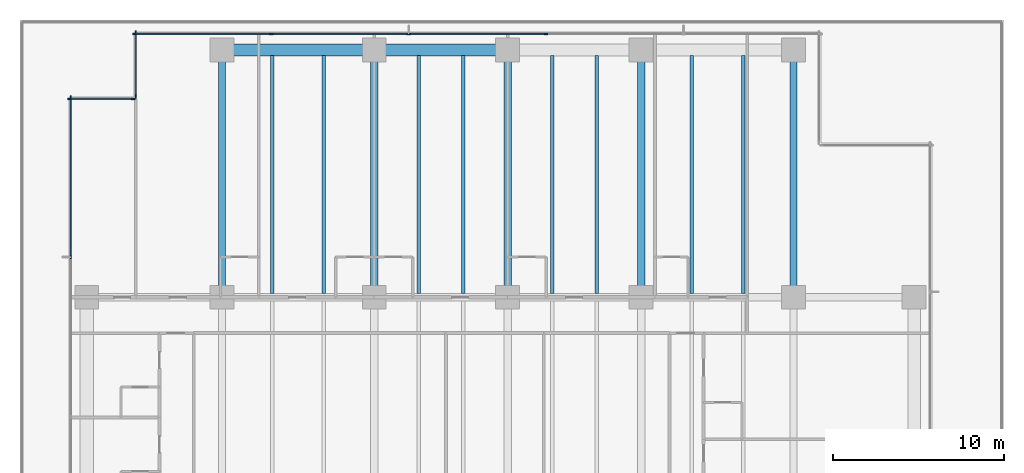
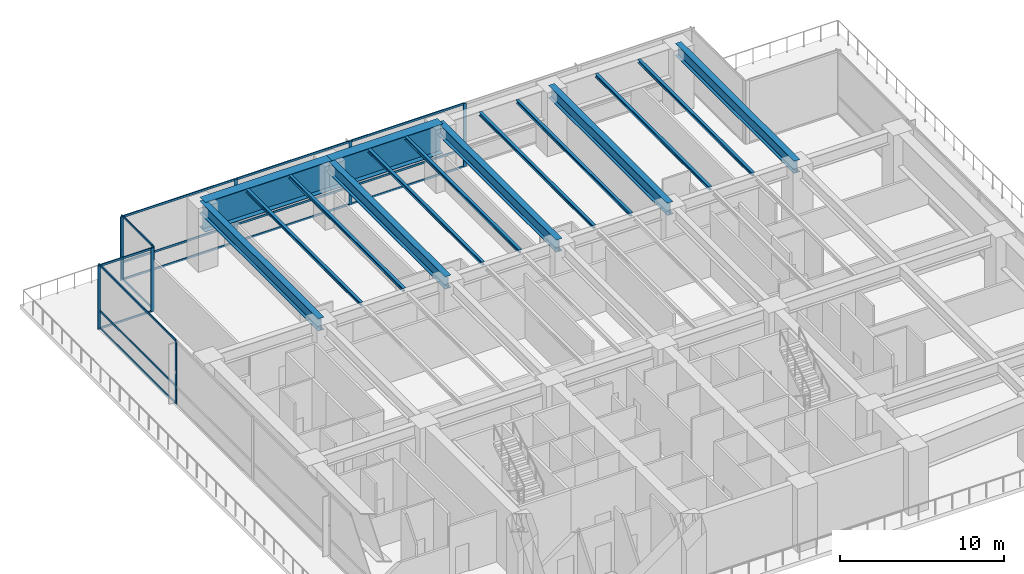
# One storey, part 4 of 19: 26 members, 15 beams, 4 elements without a shape of their own.
"""IFC4 building model written with IfcOpenShell, lengths in metres."""

import ifcopenshell
import ifcopenshell.guid

model = None  # the IFC model being written
_history = None  # IfcOwnerHistory: only IFC2X3 demands one
_inside = {}  # id of a spatial element -> (the spatial element, [elements in it])
_under = {}  # id of a project, library or spatial element -> (it, [spatial elements below it])
_declared = {}  # id of a project -> (the project, [libraries it declares])
_typed = {}  # id of a type object -> (the type object, [elements of that type])
_made_of = {}  # id of a material, layer set ... -> (it, [elements and type objects made of it])


def new_model(schema):
    """Start an empty IFC model of exactly this schema.

    Asked for "IFC4X3", IfcOpenShell would pick the latest addendum, in which some entities
    have other attributes; the version numbers below select the first issue.
    IFC2X3 requires an IfcOwnerHistory on every rooted entity: one is made here for all.
    """
    global model, _history
    if schema == "IFC4X3":
        model = ifcopenshell.file(schema_version=(4, 3, 0, 0))
    else:
        model = ifcopenshell.file(schema=schema)
    _inside.clear()
    _under.clear()
    _declared.clear()
    _typed.clear()
    _made_of.clear()
    _history = None
    if model.schema == "IFC2X3":
        org = make("IfcOrganization", Name="unknown")
        user = make(
            "IfcPersonAndOrganization",
            ThePerson=make("IfcPerson", FamilyName="unknown"),
            TheOrganization=org,
        )
        app = make(
            "IfcApplication",
            ApplicationDeveloper=org,
            Version="unknown",
            ApplicationFullName="unknown",
            ApplicationIdentifier="unknown",
        )
        _history = make(
            "IfcOwnerHistory",
            OwningUser=user,
            OwningApplication=app,
            ChangeAction="ADDED",
            CreationDate=0,
        )
    return model


def make(cls, **values):
    """One entity of the class cls with the attributes given. An attribute that is None is left unset."""
    return model.create_entity(
        cls, **{name: value for name, value in values.items() if value is not None}
    )


def rooted(cls, **values):
    """An entity with a GlobalId (a new one), such as an element, a storey or a relation."""
    return make(cls, GlobalId=ifcopenshell.guid.new(), OwnerHistory=_history, **values)


def si_unit(unit_type, name, prefix=None):
    """IfcSIUnit, for example si_unit("LENGTHUNIT", "METRE", prefix="MILLI")."""
    return make("IfcSIUnit", UnitType=unit_type, Prefix=prefix, Name=name)


def assignment(units):
    """IfcUnitAssignment: the units of a project."""
    return None if units is None else make("IfcUnitAssignment", Units=units)


def point(xyz):
    """IfcCartesianPoint."""
    return None if xyz is None else make("IfcCartesianPoint", Coordinates=xyz)


def direction(xyz):
    """IfcDirection."""
    return None if xyz is None else make("IfcDirection", DirectionRatios=xyz)


def frame(location, z_axis=None, x_axis=None):
    """IfcAxis2Placement3D, a coordinate frame: its origin and axes. An axis left out is left unset."""
    return make(
        "IfcAxis2Placement3D",
        Location=point(location),
        Axis=direction(z_axis),
        RefDirection=direction(x_axis),
    )


def frame_2d(location, x_axis=None):
    """IfcAxis2Placement2D, a coordinate frame in the plane: its origin and x axis."""
    return make(
        "IfcAxis2Placement2D", Location=point(location), RefDirection=direction(x_axis)
    )


def origin():
    """The frame at (0, 0, 0) with its axes left unset."""
    return frame((0.0, 0.0, 0.0))


def origin_2d():
    """The frame at (0, 0) in the plane with its x axis left unset."""
    return frame_2d((0.0, 0.0))


def place(relative_to, where):
    """IfcLocalPlacement: puts the frame where relative to a parent placement (None: the world)."""
    return make(
        "IfcLocalPlacement", PlacementRelTo=relative_to, RelativePlacement=where
    )


def context(
    kind, dimensions, precision=None, world=None, true_north=None, identifier=None
):
    """IfcGeometricRepresentationContext, for example the 3D "Model" context."""
    return make(
        "IfcGeometricRepresentationContext",
        ContextIdentifier=identifier,
        ContextType=kind,
        CoordinateSpaceDimension=dimensions,
        Precision=precision,
        WorldCoordinateSystem=world,
        TrueNorth=true_north,
    )


def subcontext(parent, identifier, kind, view, scale=None):
    """IfcGeometricRepresentationSubContext, for example "Body" below "Model"."""
    return make(
        "IfcGeometricRepresentationSubContext",
        ContextIdentifier=identifier,
        ContextType=kind,
        ParentContext=parent,
        TargetScale=scale,
        TargetView=view,
    )


def project(units=None, contexts=None):
    """IfcProject with its units and contexts."""
    return rooted(
        "IfcProject",
        Name="project",
        RepresentationContexts=contexts,
        UnitsInContext=assignment(units),
    )


def spatial(cls, under=None, at=None, **own):
    """A site, building, storey or space (cls), placed at a placement, below another one or the project."""
    s = rooted(cls, ObjectPlacement=at, **own)
    if under is not None:
        _under.setdefault(under.id(), (under, []))[1].append(s)
    return s


def profile(cls, at=None, kind="AREA", **sizes):
    """A parametric profile (cls). Its sizes go by their IFC names, for example OverallWidth=200.0."""
    return make(cls, ProfileType=kind, Position=at, **sizes)


def rectangle(**sizes):
    """IfcRectangleProfileDef."""
    return profile("IfcRectangleProfileDef", **sizes)


def i_section(**sizes):
    """IfcIShapeProfileDef."""
    return profile("IfcIShapeProfileDef", **sizes)


def extrude(swept, where, along, depth):
    """IfcExtrudedAreaSolid: the profile swept, set in the frame where, extruded along a direction by depth."""
    return make(
        "IfcExtrudedAreaSolid",
        SweptArea=swept,
        Position=where,
        ExtrudedDirection=direction(along),
        Depth=depth,
    )


def shape(context_of_items, identifier, shape_type, items):
    """IfcShapeRepresentation: the items that make up one representation, for example the "Body"."""
    return make(
        "IfcShapeRepresentation",
        ContextOfItems=context_of_items,
        RepresentationIdentifier=identifier,
        RepresentationType=shape_type,
        Items=items,
    )


def material(Name=None, Category=None):
    """IfcMaterial."""
    return make("IfcMaterial", Name=Name, Category=Category)


def layer(
    of_material, thickness, ventilated=None, Name=None, Category=None, Priority=None
):
    """IfcMaterialLayer: one layer of a wall or slab, of a material (None: an air gap)."""
    return make(
        "IfcMaterialLayer",
        Material=of_material,
        LayerThickness=thickness,
        IsVentilated=ventilated,
        Name=Name,
        Category=Category,
        Priority=Priority,
    )


def layer_set(layers, Name=None):
    """IfcMaterialLayerSet."""
    return make("IfcMaterialLayerSet", MaterialLayers=layers, LayerSetName=Name)


def material_profile(
    of_material, cross_section, Name=None, Category=None, Priority=None
):
    """IfcMaterialProfile: a cross section and its material."""
    return make(
        "IfcMaterialProfile",
        Name=Name,
        Material=of_material,
        Profile=cross_section,
        Priority=Priority,
        Category=Category,
    )


def profile_set(profiles, Name=None, composite=None):
    """IfcMaterialProfileSet."""
    return make(
        "IfcMaterialProfileSet",
        Name=Name,
        MaterialProfiles=profiles,
        CompositeProfile=composite,
    )


def made_of(thing, what):
    """Note that an element or type object is made of a material, layer set ...; save() writes the relation."""
    if what is not None:
        _made_of.setdefault(what.id(), (what, []))[1].append(thing)
    return thing


def type_object(cls, material=None, **own):
    """A type object (cls), such as IfcWallType, which elements share."""
    return made_of(rooted(cls, **own), material)


def element(
    cls,
    number,
    at=None,
    inside=None,
    cuts=None,
    type_object=None,
    material=None,
    context=None,
    identifier="Body",
    shape_type=None,
    held_by="IfcProductDefinitionShape",
    body=None,
    shapes=None,
    **own,
):
    """One element of the class cls, such as IfcWall. Its Tag is "e" and its number.

    at: its placement. inside: the storey or other place that contains it. cuts: it is an
    opening in that element (IfcRelVoidsElement). A single representation is given by context,
    identifier, shape_type and body (its items); several are given by shapes. held_by: the class
    of the entity that holds the representations. save() writes the other relations.
    """
    e = rooted(cls, Tag="e%d" % number, ObjectPlacement=at, **own)
    if body is not None:
        shapes = [shape(context, identifier, shape_type, body)]
    if shapes is not None:
        e.Representation = make(held_by, Representations=shapes)
    if inside is not None:
        _inside.setdefault(inside.id(), (inside, []))[1].append(e)
    if cuts is not None:
        rooted(
            "IfcRelVoidsElement", RelatingBuildingElement=cuts, RelatedOpeningElement=e
        )
    if type_object is not None:
        _typed.setdefault(type_object.id(), (type_object, []))[1].append(e)
    return made_of(e, material)


def aggregate(whole, parts):
    """IfcRelAggregates: a whole, such as a stair, and the parts it consists of."""
    return rooted("IfcRelAggregates", RelatingObject=whole, RelatedObjects=parts)


def save(model, path):
    """Write the relations noted so far, then the file.

    IfcRelAggregates (storeys below a building ...), IfcRelContainedInSpatialStructure (elements
    in a storey), IfcRelDefinesByType, IfcRelAssociatesMaterial and IfcRelDeclares: one each for
    every whole, place, type object, material and project.
    """
    for whole, parts in _under.values():
        aggregate(whole, parts)
    for where, things in _inside.values():
        rooted(
            "IfcRelContainedInSpatialStructure",
            RelatedElements=things,
            RelatingStructure=where,
        )
    for kind, things in _typed.values():
        rooted("IfcRelDefinesByType", RelatedObjects=things, RelatingType=kind)
    for what, things in _made_of.values():
        rooted("IfcRelAssociatesMaterial", RelatedObjects=things, RelatingMaterial=what)
    for by, libraries in _declared.values():
        rooted("IfcRelDeclares", RelatingContext=by, RelatedDefinitions=libraries)
    model.write(path)


model = new_model("IFC4")

# Units and contexts
model_context = context("Model", 3, precision=1e-05, world=origin(), true_north=direction((0.0, 1.0)))
body_context = subcontext(model_context, "Body", "Model", "MODEL_VIEW")
ifc_project = project(units=[si_unit("LENGTHUNIT", "METRE"), si_unit("AREAUNIT", "SQUARE_METRE"), si_unit("VOLUMEUNIT", "CUBIC_METRE"), si_unit("PLANEANGLEUNIT", "RADIAN"), si_unit("MASSUNIT", "GRAM", prefix="KILO")], contexts=[model_context])

# Site, building, storey
site_placement = place(None, origin())
site = spatial("IfcSite", under=ifc_project, at=site_placement, CompositionType="ELEMENT")
building_placement = place(site_placement, origin())
building = spatial("IfcBuilding", under=site, at=building_placement, Name="Qalmaran Belvedere Hotel", CompositionType="ELEMENT")
storey_placement = place(building_placement, frame((0.0, 0.0, 28.39990234375)))
storey = spatial("IfcBuildingStorey", under=building, at=storey_placement, Name="L06", CompositionType="ELEMENT", Elevation=28.39990234375)

# Beams
ifc_material_1 = material(Name="Steel S355JR", Category="steel")
ifc_material_profile_1 = material_profile(ifc_material_1, i_section(OverallWidth=0.201904296875, OverallDepth=0.2470703125, WebThickness=0.00732421875, FlangeThickness=0.010986328125, FilletRadius=0.011962890625, at=origin_2d()), Name="W250X49")
ifc_profile_set_1 = profile_set([ifc_material_profile_1], Name="Steel S355JR")
beam_type_1 = type_object("IfcBeamType", Name="BM-JST-W250X49", PredefinedType="JOIST", material=ifc_profile_set_1)
for number, where, z_axis, x_axis, name in (
    (1, (23.25, 33.2080078125, 4.5966796875), (0.0, 1.0, 0.0), (-1.0, 0.0, 0.0), "L06 Deck Joist B01"),
    (2, (26.25, 33.2080078125, 4.5966796875), (0.0, 1.0, 0.0), (-1.0, 0.0, 0.0), "L06 Deck Joist B02"),
    (3, (31.800048828125, 33.2080078125, 4.5966796875), (0.0, 1.0, 0.0), (-1.0, 0.0, 0.0), "L06 Deck Joist B03"),
    (4, (34.39990234375, 33.2080078125, 4.5966796875), (0.0, 1.0, 0.0), (-1.0, 0.0, 0.0), "L06 Deck Joist B04"),
    (5, (39.60009765625, 33.2080078125, 4.5966796875), (0.0, 1.0, 0.0), (-1.0, 0.0, 0.0), "L06 Deck Joist B05"),
    (6, (42.199951171875, 33.2080078125, 4.5966796875), (0.0, 1.0, 0.0), (-1.0, 0.0, 0.0), "L06 Deck Joist B06"),
    (7, (47.75, 33.2080078125, 4.5966796875), (0.0, 1.0, 0.0), (-1.0, 0.0, 0.0), "L06 Deck Joist B07"),
    (8, (50.75, 33.2080078125, 4.5966796875), (0.0, 1.0, 0.0), (-1.0, 0.0, 0.0), "L06 Deck Joist B08"),
):
    element("IfcBeam", number, at=place(storey_placement, frame(where, z_axis=z_axis, x_axis=x_axis)), inside=storey, type_object=beam_type_1, Name=name, PredefinedType="JOIST", context=body_context, shape_type="SweptSolid", body=[
        extrude(i_section(OverallWidth=0.201904296875, OverallDepth=0.2470703125, WebThickness=0.00732421875, FlangeThickness=0.010986328125, FilletRadius=0.011962890625, at=origin_2d()), origin(), (0.0, 0.0, 1.0), 13.904052734375),
    ])
ifc_material_profile_2 = material_profile(ifc_material_1, i_section(OverallWidth=0.419921875, OverallDepth=0.9208984375, WebThickness=0.021240234375, FlangeThickness=0.03662109375, FilletRadius=0.02392578125, at=origin_2d()), Name="W920X387")
ifc_profile_set_2 = profile_set([ifc_material_profile_2], Name="Steel S355JR")
beam_type_2 = type_object("IfcBeamType", Name="BM-PG1-W920X387", PredefinedType="USERDEFINED", material=ifc_profile_set_2)
for number, where, z_axis, x_axis, name in (
    (9, (20.300048828125, 33.0, 4.259521484375), (0.0, 1.0, 0.0), (-1.0, 0.0, 0.0), "L06 Primary Tie Girder G11"),
    (10, (29.199951171875, 33.0, 4.259521484375), (0.0, 1.0, 0.0), (-1.0, 0.0, 0.0), "L06 Primary Tie Girder G11B"),
    (11, (37.0, 33.0, 4.259521484375), (0.0, 1.0, 0.0), (-1.0, 0.0, 0.0), "L06 Primary Tie Girder G12"),
    (12, (44.800048828125, 33.0, 4.259521484375), (0.0, 1.0, 0.0), (-1.0, 0.0, 0.0), "L06 Primary Tie Girder G12B"),
    (13, (53.699951171875, 33.0, 4.259521484375), (0.0, 1.0, 0.0), (-1.0, 0.0, 0.0), "L06 Primary Tie Girder G13"),
):
    element("IfcBeam", number, at=place(storey_placement, frame(where, z_axis=z_axis, x_axis=x_axis)), inside=storey, type_object=beam_type_2, Name=name, ObjectType="GIRDER", PredefinedType="USERDEFINED", context=body_context, shape_type="SweptSolid", body=[
        extrude(i_section(OverallWidth=0.419921875, OverallDepth=0.9208984375, WebThickness=0.021240234375, FlangeThickness=0.03662109375, FilletRadius=0.02392578125, at=origin_2d()), origin(), (0.0, 0.0, 1.0), 14.449951171875),
    ])
ifc_material_profile_3 = material_profile(ifc_material_1, i_section(OverallWidth=0.679931640625, OverallDepth=2.199951171875, WebThickness=0.028076171875, FlangeThickness=0.035888671875, at=origin_2d()), Name="PG2200X680X36")
ifc_profile_set_3 = profile_set([ifc_material_profile_3], Name="Steel S355JR")
beam_type_3 = type_object("IfcBeamType", Name="BM-TG3-PG2200X680", PredefinedType="USERDEFINED", material=ifc_profile_set_3)
beam_1_placement = place(storey_placement, frame((20.300048828125, 47.449951171875, 3.6201171875), z_axis=(1.0, 0.0, 0.0), x_axis=(0.0, 1.0, 0.0)))
element("IfcBeam", 14, at=beam_1_placement, inside=storey, type_object=beam_type_3, Name="L06 North Transfer Girder TG-3A", ObjectType="GIRDER", PredefinedType="USERDEFINED", context=body_context, shape_type="SweptSolid", body=[
    extrude(i_section(OverallWidth=0.679931640625, OverallDepth=2.199951171875, WebThickness=0.028076171875, FlangeThickness=0.035888671875, at=origin_2d()), origin(), (0.0, 0.0, 1.0), 8.89990234375),
])
beam_2_placement = place(storey_placement, frame((29.199951171875, 47.449951171875, 3.6201171875), z_axis=(1.0, 0.0, 0.0), x_axis=(0.0, 1.0, 0.0)))
element("IfcBeam", 15, at=beam_2_placement, inside=storey, type_object=beam_type_3, Name="L06 North Transfer Girder TG-3B", ObjectType="GIRDER", PredefinedType="USERDEFINED", context=body_context, shape_type="SweptSolid", body=[
    extrude(i_section(OverallWidth=0.679931640625, OverallDepth=2.199951171875, WebThickness=0.028076171875, FlangeThickness=0.035888671875, at=origin_2d()), origin(), (0.0, 0.0, 1.0), 7.800048828125),
])

# Curtain wall, members
ifc_material_2 = material(Name="Anodised Bronze Aluminium", Category="aluminium")
ifc_layer = layer(ifc_material_2, 0.2099609375, Name="Anodised Bronze Aluminium")
ifc_layer_set = layer_set([ifc_layer], Name="Anodised Bronze Aluminium")
curtain_wall_type = type_object("IfcCurtainWallType", Name="CW2-TOWER-LOWER", PredefinedType="NOTDEFINED", material=ifc_layer_set)
curtain_wall_1_placement = place(storey_placement, origin())
curtain_wall_1 = element("IfcCurtainWall", 16, at=curtain_wall_1_placement, inside=storey, type_object=curtain_wall_type, Name="L06 Curtain Wall CW2", PredefinedType="NOTDEFINED")
ifc_material_profile_4 = material_profile(ifc_material_2, rectangle(XDim=0.074951171875, YDim=0.219970703125, at=origin_2d()), Name="CWM75X220")
ifc_profile_set_4 = profile_set([ifc_material_profile_4], Name="Anodised Bronze Aluminium")
member_type_1 = type_object("IfcMemberType", Name="CWM-75X220", PredefinedType="MULLION", material=ifc_profile_set_4)
member_1_placement = place(storey_placement, frame((39.239990234375, 48.3798828125, 0.0), z_axis=(0.0, 0.0, 1.0), x_axis=(0.0, -1.0, 0.0)))
member_1 = element("IfcMember", 17, at=member_1_placement, type_object=member_type_1, Name="CW2 mullion 3", PredefinedType="MULLION", context=body_context, shape_type="SweptSolid", body=[
    extrude(rectangle(XDim=0.074951171875, YDim=0.219970703125, at=origin_2d()), origin(), (0.0, 0.0, 1.0), 4.72021484375),
])
member_2_placement = place(storey_placement, frame((31.2099609375, 48.3798828125, 0.0), z_axis=(0.0, 0.0, 1.0), x_axis=(0.0, -1.0, 0.0)))
member_2 = element("IfcMember", 18, at=member_2_placement, type_object=member_type_1, Name="CW2 mullion 4", PredefinedType="MULLION", context=body_context, shape_type="SweptSolid", body=[
    extrude(rectangle(XDim=0.074951171875, YDim=0.219970703125, at=origin_2d()), origin(), (0.0, 0.0, 1.0), 4.72021484375),
])
member_3_placement = place(storey_placement, frame((23.179931640625, 48.3798828125, 0.0), z_axis=(0.0, 0.0, 1.0), x_axis=(0.0, -1.0, 0.0)))
member_3 = element("IfcMember", 19, at=member_3_placement, type_object=member_type_1, Name="CW2 mullion 5", PredefinedType="MULLION", context=body_context, shape_type="SweptSolid", body=[
    extrude(rectangle(XDim=0.074951171875, YDim=0.219970703125, at=origin_2d()), origin(), (0.0, 0.0, 1.0), 4.72021484375),
])
member_4_placement = place(storey_placement, frame((15.1875, 48.3798828125, 0.0), z_axis=(0.0, 0.0, 1.0), x_axis=(0.0, -1.0, 0.0)))
member_4 = element("IfcMember", 20, at=member_4_placement, type_object=member_type_1, Name="CW2 mullion 6", PredefinedType="MULLION", context=body_context, shape_type="SweptSolid", body=[
    extrude(rectangle(XDim=0.074951171875, YDim=0.219970703125, at=origin_2d()), origin(), (0.0, 0.0, 1.0), 4.72021484375),
])

curtain_wall_2_placement = place(storey_placement, origin())
curtain_wall_2 = element("IfcCurtainWall", 21, at=curtain_wall_2_placement, inside=storey, type_object=curtain_wall_type, Name="L06 Curtain Wall CW2", PredefinedType="NOTDEFINED")
member_5_placement = place(storey_placement, frame((15.27001953125, 48.46240234375, 0.0), z_axis=(0.0, 0.0, 1.0), x_axis=(1.0, 0.0, 0.0)))
member_5 = element("IfcMember", 22, at=member_5_placement, type_object=member_type_1, Name="CW2 mullion 1", PredefinedType="MULLION", context=body_context, shape_type="SweptSolid", body=[
    extrude(rectangle(XDim=0.074951171875, YDim=0.219970703125, at=origin_2d()), origin(), (0.0, 0.0, 1.0), 4.72021484375),
])
member_6_placement = place(storey_placement, frame((15.27001953125, 44.737548828125, 0.0), z_axis=(0.0, 0.0, 1.0), x_axis=(1.0, 0.0, 0.0)))
member_6 = element("IfcMember", 23, at=member_6_placement, type_object=member_type_1, Name="CW2 mullion 2", PredefinedType="MULLION", context=body_context, shape_type="SweptSolid", body=[
    extrude(rectangle(XDim=0.074951171875, YDim=0.219970703125, at=origin_2d()), origin(), (0.0, 0.0, 1.0), 4.72021484375),
])

curtain_wall_3_placement = place(storey_placement, origin())
curtain_wall_3 = element("IfcCurtainWall", 24, at=curtain_wall_3_placement, inside=storey, type_object=curtain_wall_type, Name="L06 Curtain Wall CW2", PredefinedType="NOTDEFINED")
member_7_placement = place(storey_placement, frame((15.112548828125, 44.580078125, 0.0), z_axis=(0.0, 0.0, 1.0), x_axis=(0.0, -1.0, 0.0)))
member_7 = element("IfcMember", 25, at=member_7_placement, type_object=member_type_1, Name="CW2 mullion 1", PredefinedType="MULLION", context=body_context, shape_type="SweptSolid", body=[
    extrude(rectangle(XDim=0.074951171875, YDim=0.219970703125, at=origin_2d()), origin(), (0.0, 0.0, 1.0), 4.72021484375),
])
member_8_placement = place(storey_placement, frame((11.387451171875, 44.580078125, 0.0), z_axis=(0.0, 0.0, 1.0), x_axis=(0.0, -1.0, 0.0)))
member_8 = element("IfcMember", 26, at=member_8_placement, type_object=member_type_1, Name="CW2 mullion 2", PredefinedType="MULLION", context=body_context, shape_type="SweptSolid", body=[
    extrude(rectangle(XDim=0.074951171875, YDim=0.219970703125, at=origin_2d()), origin(), (0.0, 0.0, 1.0), 4.72021484375),
])

curtain_wall_4_placement = place(storey_placement, origin())
curtain_wall_4 = element("IfcCurtainWall", 27, at=curtain_wall_4_placement, inside=storey, type_object=curtain_wall_type, Name="L06 Curtain Wall CW2", PredefinedType="NOTDEFINED")
member_9_placement = place(storey_placement, frame((11.469970703125, 44.66259765625, 0.0), z_axis=(0.0, 0.0, 1.0), x_axis=(1.0, 0.0, 0.0)))
member_9 = element("IfcMember", 28, at=member_9_placement, type_object=member_type_1, Name="CW2 mullion 1", PredefinedType="MULLION", context=body_context, shape_type="SweptSolid", body=[
    extrude(rectangle(XDim=0.074951171875, YDim=0.219970703125, at=origin_2d()), origin(), (0.0, 0.0, 1.0), 4.72021484375),
])
member_10_placement = place(storey_placement, frame((11.469970703125, 35.35009765625, 0.0), z_axis=(0.0, 0.0, 1.0), x_axis=(1.0, 0.0, 0.0)))
member_10 = element("IfcMember", 29, at=member_10_placement, type_object=member_type_1, Name="CW2 mullion 2", PredefinedType="MULLION", context=body_context, shape_type="SweptSolid", body=[
    extrude(rectangle(XDim=0.074951171875, YDim=0.219970703125, at=origin_2d()), origin(), (0.0, 0.0, 1.0), 4.72021484375),
])

# Member
ifc_material_profile_5 = material_profile(ifc_material_2, rectangle(XDim=0.070068359375, YDim=0.14990234375, at=origin_2d()), Name="CWT70X150")
ifc_profile_set_5 = profile_set([ifc_material_profile_5], Name="Anodised Bronze Aluminium")
member_type_2 = type_object("IfcMemberType", Name="CWT-70X150", PredefinedType="USERDEFINED", material=ifc_profile_set_5)
member_11_placement = place(storey_placement, frame((39.202392578125, 48.3798828125, 0.03515625), z_axis=(-1.0, 0.0, 0.0), x_axis=(0.0, -1.0, 0.0)))
member_11 = element("IfcMember", 30, at=member_11_placement, type_object=member_type_2, Name="CW2 transom 3.1", ObjectType="TRANSOM", PredefinedType="USERDEFINED", context=body_context, shape_type="SweptSolid", body=[
    extrude(rectangle(XDim=0.070068359375, YDim=0.14990234375, at=origin_2d()), origin(), (0.0, 0.0, 1.0), 7.954833984375),
])

member_12_placement = place(storey_placement, frame((39.202392578125, 48.3798828125, 1.32177734375), z_axis=(-1.0, 0.0, 0.0), x_axis=(0.0, -1.0, 0.0)))
member_12 = element("IfcMember", 31, at=member_12_placement, type_object=member_type_2, Name="CW2 transom 3.2", ObjectType="TRANSOM", PredefinedType="USERDEFINED", context=body_context, shape_type="SweptSolid", body=[
    extrude(rectangle(XDim=0.070068359375, YDim=0.14990234375, at=origin_2d()), origin(), (0.0, 0.0, 1.0), 7.954833984375),
])

member_13_placement = place(storey_placement, frame((39.202392578125, 48.3798828125, 4.68505859375), z_axis=(-1.0, 0.0, 0.0), x_axis=(0.0, -1.0, 0.0)))
member_13 = element("IfcMember", 32, at=member_13_placement, type_object=member_type_2, Name="CW2 transom 3.3", ObjectType="TRANSOM", PredefinedType="USERDEFINED", context=body_context, shape_type="SweptSolid", body=[
    extrude(rectangle(XDim=0.070068359375, YDim=0.14990234375, at=origin_2d()), origin(), (0.0, 0.0, 1.0), 7.954833984375),
])

member_14_placement = place(storey_placement, frame((31.172607421875, 48.3798828125, 0.03515625), z_axis=(-1.0, 0.0, 0.0), x_axis=(0.0, -1.0, 0.0)))
member_14 = element("IfcMember", 33, at=member_14_placement, type_object=member_type_2, Name="CW2 transom 4.1", ObjectType="TRANSOM", PredefinedType="USERDEFINED", context=body_context, shape_type="SweptSolid", body=[
    extrude(rectangle(XDim=0.070068359375, YDim=0.14990234375, at=origin_2d()), origin(), (0.0, 0.0, 1.0), 7.955078125),
])

member_15_placement = place(storey_placement, frame((31.172607421875, 48.3798828125, 1.32177734375), z_axis=(-1.0, 0.0, 0.0), x_axis=(0.0, -1.0, 0.0)))
member_15 = element("IfcMember", 34, at=member_15_placement, type_object=member_type_2, Name="CW2 transom 4.2", ObjectType="TRANSOM", PredefinedType="USERDEFINED", context=body_context, shape_type="SweptSolid", body=[
    extrude(rectangle(XDim=0.070068359375, YDim=0.14990234375, at=origin_2d()), origin(), (0.0, 0.0, 1.0), 7.955078125),
])

member_16_placement = place(storey_placement, frame((31.172607421875, 48.3798828125, 4.68505859375), z_axis=(-1.0, 0.0, 0.0), x_axis=(0.0, -1.0, 0.0)))
member_16 = element("IfcMember", 35, at=member_16_placement, type_object=member_type_2, Name="CW2 transom 4.3", ObjectType="TRANSOM", PredefinedType="USERDEFINED", context=body_context, shape_type="SweptSolid", body=[
    extrude(rectangle(XDim=0.070068359375, YDim=0.14990234375, at=origin_2d()), origin(), (0.0, 0.0, 1.0), 7.955078125),
])

member_17_placement = place(storey_placement, frame((23.142578125, 48.3798828125, 0.03515625), z_axis=(-1.0, 0.0, 0.0), x_axis=(0.0, -1.0, 0.0)))
member_17 = element("IfcMember", 36, at=member_17_placement, type_object=member_type_2, Name="CW2 transom 5.1", ObjectType="TRANSOM", PredefinedType="USERDEFINED", context=body_context, shape_type="SweptSolid", body=[
    extrude(rectangle(XDim=0.070068359375, YDim=0.14990234375, at=origin_2d()), origin(), (0.0, 0.0, 1.0), 7.91748046875),
])

member_18_placement = place(storey_placement, frame((23.142578125, 48.3798828125, 1.32177734375), z_axis=(-1.0, 0.0, 0.0), x_axis=(0.0, -1.0, 0.0)))
member_18 = element("IfcMember", 37, at=member_18_placement, type_object=member_type_2, Name="CW2 transom 5.2", ObjectType="TRANSOM", PredefinedType="USERDEFINED", context=body_context, shape_type="SweptSolid", body=[
    extrude(rectangle(XDim=0.070068359375, YDim=0.14990234375, at=origin_2d()), origin(), (0.0, 0.0, 1.0), 7.91748046875),
])

member_19_placement = place(storey_placement, frame((23.142578125, 48.3798828125, 4.68505859375), z_axis=(-1.0, 0.0, 0.0), x_axis=(0.0, -1.0, 0.0)))
member_19 = element("IfcMember", 38, at=member_19_placement, type_object=member_type_2, Name="CW2 transom 5.3", ObjectType="TRANSOM", PredefinedType="USERDEFINED", context=body_context, shape_type="SweptSolid", body=[
    extrude(rectangle(XDim=0.070068359375, YDim=0.14990234375, at=origin_2d()), origin(), (0.0, 0.0, 1.0), 7.91748046875),
])

aggregate(curtain_wall_1, [member_1, member_2, member_3, member_4, member_11, member_12, member_13, member_14, member_15, member_16, member_17, member_18, member_19])

member_20_placement = place(storey_placement, frame((15.27001953125, 48.425048828125, 0.03515625), z_axis=(0.0, -1.0, 0.0), x_axis=(1.0, 0.0, 0.0)))
member_20 = element("IfcMember", 39, at=member_20_placement, type_object=member_type_2, Name="CW2 transom 1.1", ObjectType="TRANSOM", PredefinedType="USERDEFINED", context=body_context, shape_type="SweptSolid", body=[
    extrude(rectangle(XDim=0.070068359375, YDim=0.14990234375, at=origin_2d()), origin(), (0.0, 0.0, 1.0), 3.650146484375),
])

member_21_placement = place(storey_placement, frame((15.27001953125, 48.425048828125, 4.68505859375), z_axis=(0.0, -1.0, 0.0), x_axis=(1.0, 0.0, 0.0)))
member_21 = element("IfcMember", 40, at=member_21_placement, type_object=member_type_2, Name="CW2 transom 1.2", ObjectType="TRANSOM", PredefinedType="USERDEFINED", context=body_context, shape_type="SweptSolid", body=[
    extrude(rectangle(XDim=0.070068359375, YDim=0.14990234375, at=origin_2d()), origin(), (0.0, 0.0, 1.0), 3.650146484375),
])

aggregate(curtain_wall_2, [member_5, member_6, member_20, member_21])

member_22_placement = place(storey_placement, frame((15.074951171875, 44.580078125, 0.03515625), z_axis=(-1.0, 0.0, 0.0), x_axis=(0.0, -1.0, 0.0)))
member_22 = element("IfcMember", 41, at=member_22_placement, type_object=member_type_2, Name="CW2 transom 1.1", ObjectType="TRANSOM", PredefinedType="USERDEFINED", context=body_context, shape_type="SweptSolid", body=[
    extrude(rectangle(XDim=0.070068359375, YDim=0.14990234375, at=origin_2d()), origin(), (0.0, 0.0, 1.0), 3.64990234375),
])

member_23_placement = place(storey_placement, frame((15.074951171875, 44.580078125, 4.68505859375), z_axis=(-1.0, 0.0, 0.0), x_axis=(0.0, -1.0, 0.0)))
member_23 = element("IfcMember", 42, at=member_23_placement, type_object=member_type_2, Name="CW2 transom 1.2", ObjectType="TRANSOM", PredefinedType="USERDEFINED", context=body_context, shape_type="SweptSolid", body=[
    extrude(rectangle(XDim=0.070068359375, YDim=0.14990234375, at=origin_2d()), origin(), (0.0, 0.0, 1.0), 3.64990234375),
])

aggregate(curtain_wall_3, [member_7, member_8, member_22, member_23])

member_24_placement = place(storey_placement, frame((11.469970703125, 44.625, 0.03515625), z_axis=(0.0, -1.0, 0.0), x_axis=(1.0, 0.0, 0.0)))
member_24 = element("IfcMember", 43, at=member_24_placement, type_object=member_type_2, Name="CW2 transom 1.1", ObjectType="TRANSOM", PredefinedType="USERDEFINED", context=body_context, shape_type="SweptSolid", body=[
    extrude(rectangle(XDim=0.070068359375, YDim=0.14990234375, at=origin_2d()), origin(), (0.0, 0.0, 1.0), 9.237548828125),
])

member_25_placement = place(storey_placement, frame((11.469970703125, 44.625, 1.32177734375), z_axis=(0.0, -1.0, 0.0), x_axis=(1.0, 0.0, 0.0)))
member_25 = element("IfcMember", 44, at=member_25_placement, type_object=member_type_2, Name="CW2 transom 1.2", ObjectType="TRANSOM", PredefinedType="USERDEFINED", context=body_context, shape_type="SweptSolid", body=[
    extrude(rectangle(XDim=0.070068359375, YDim=0.14990234375, at=origin_2d()), origin(), (0.0, 0.0, 1.0), 9.237548828125),
])

member_26_placement = place(storey_placement, frame((11.469970703125, 44.625, 4.68505859375), z_axis=(0.0, -1.0, 0.0), x_axis=(1.0, 0.0, 0.0)))
member_26 = element("IfcMember", 45, at=member_26_placement, type_object=member_type_2, Name="CW2 transom 1.3", ObjectType="TRANSOM", PredefinedType="USERDEFINED", context=body_context, shape_type="SweptSolid", body=[
    extrude(rectangle(XDim=0.070068359375, YDim=0.14990234375, at=origin_2d()), origin(), (0.0, 0.0, 1.0), 9.237548828125),
])

aggregate(curtain_wall_4, [member_9, member_10, member_24, member_25, member_26])

save(model, "model.ifc")
